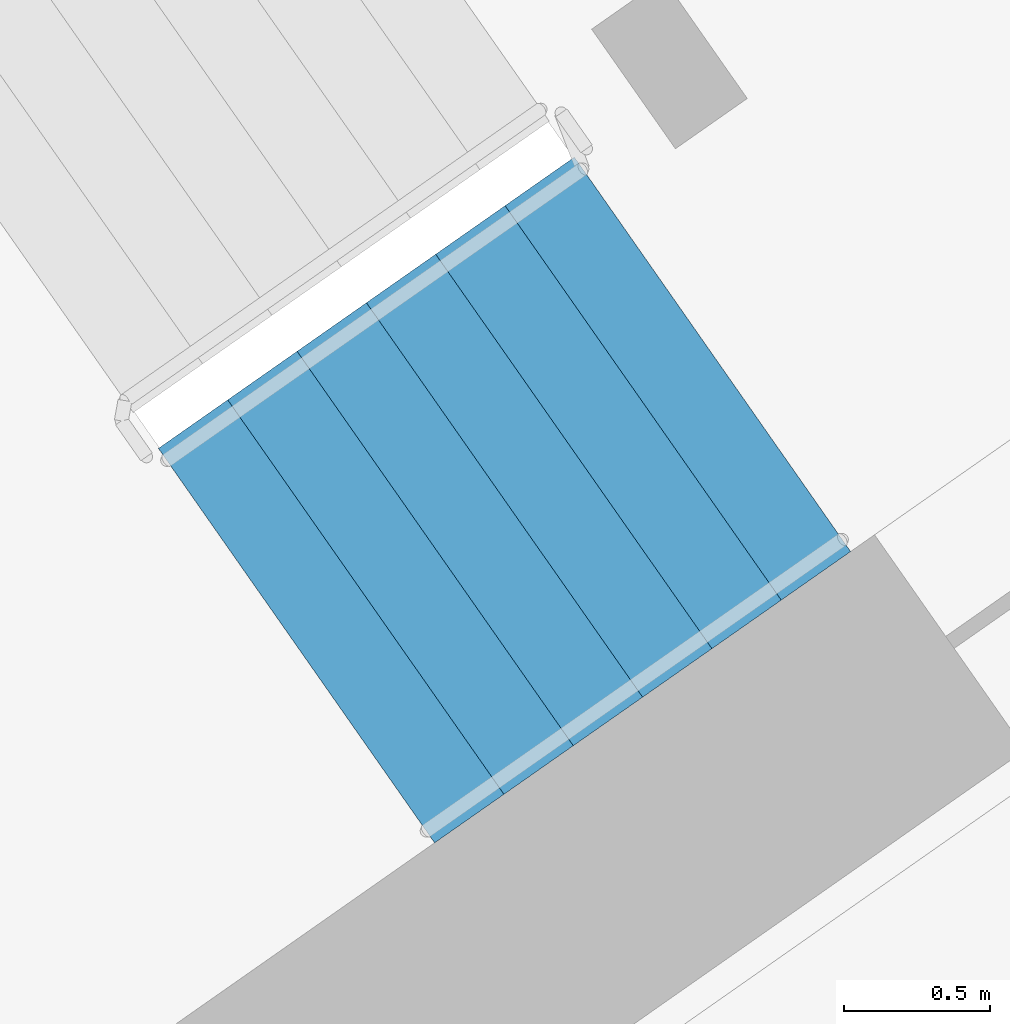
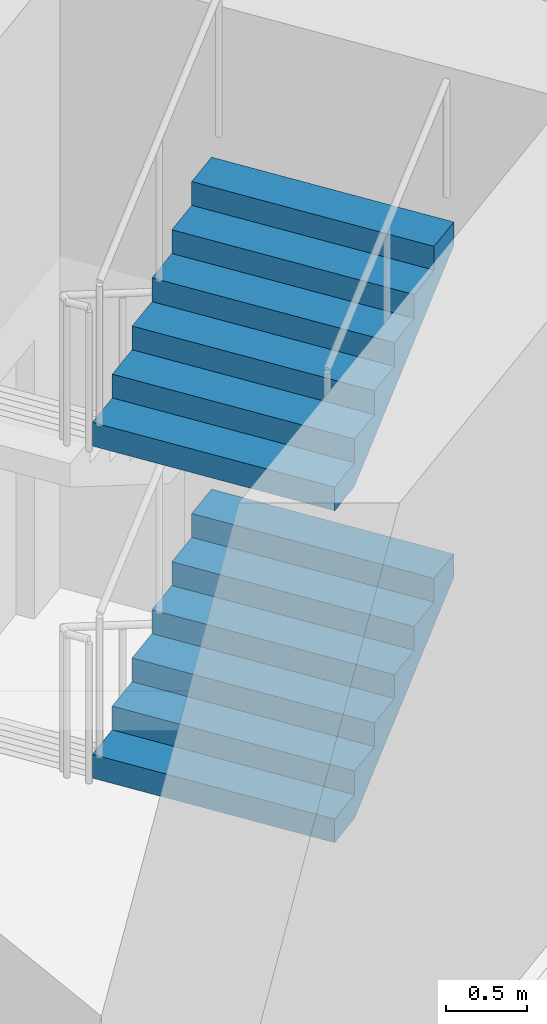
# One storey, part 20 of 25: 2 stair flights, 1 element without a shape of its own.
"""IFC4 building model written with IfcOpenShell, lengths in metres."""

from ifc_helpers import new_model, si_unit, direction, frame, origin, place, context, subcontext, project, spatial, faceted_brep, material, type_object, element, aggregate, save


model = new_model("IFC4")

# Units and contexts
model_context = context("Model", 3, precision=1e-05, world=origin(), true_north=direction((0.0, 1.0)))
body_context = subcontext(model_context, "Body", "Model", "MODEL_VIEW")
ifc_project = project(units=[si_unit("LENGTHUNIT", "METRE"), si_unit("AREAUNIT", "SQUARE_METRE"), si_unit("VOLUMEUNIT", "CUBIC_METRE"), si_unit("PLANEANGLEUNIT", "RADIAN"), si_unit("MASSUNIT", "GRAM", prefix="KILO")], contexts=[model_context])

# Site, building, storey
site_placement = place(None, origin())
site = spatial("IfcSite", under=ifc_project, at=site_placement, CompositionType="ELEMENT")
building_placement = place(site_placement, origin())
building = spatial("IfcBuilding", under=site, at=building_placement, Name="Qamariyya Broadcast Tower", CompositionType="ELEMENT")
storey_placement = place(building_placement, frame((0.0, 0.0, 89.89990234375)))
storey = spatial("IfcBuildingStorey", under=building, at=storey_placement, Name="L19", CompositionType="ELEMENT", Elevation=89.89990234375)

# Stair, stair flights
ifc_material = material(Name="Concrete C50/60", Category="concrete")
stair_type = type_object("IfcStairType", Name="Exit stair 28 risers of 179 mm", PredefinedType="HALF_TURN_STAIR", material=ifc_material)
stair_placement = place(storey_placement, origin())
stair = element("IfcStair", 1, at=stair_placement, inside=storey, type_object=stair_type, Name="L19 Stair E1", PredefinedType="HALF_TURN_STAIR")
stair_flight_type = type_object("IfcStairFlightType", Name="Exit stair flight 7 risers of 179 mm", PredefinedType="STRAIGHT", material=ifc_material)
stair_flight_1_placement = place(storey_placement, frame((45.6435546875, -57.980712890625, 1.25), z_axis=(0.0, 0.0, 1.0), x_axis=(0.819152044289, 0.573576436351, 0.0)))
stair_flight_1 = element("IfcStairFlight", 2, at=stair_flight_1_placement, type_object=stair_flight_type, Name="ST-E1 flight 2", NumberOfRisers=7, NumberOfTreads=6, PredefinedType="STRAIGHT", RiserHeight=0.178571429, TreadLength=0.29, context=body_context, shape_type="Brep", body=[
    faceted_brep([(0.0, 0.824951171875, 0.0), (0.0, 0.824951171875, 0.178466796875), (0.2900390625, 0.824951171875, 0.178466796875), (0.2900390625, 0.824951171875, 0.357177734375), (0.580078125, 0.824951171875, 0.357177734375), (0.580078125, 0.824951171875, 0.53564453125), (0.8701171875, 0.824951171875, 0.53564453125), (0.8701171875, 0.824951171875, 0.71435546875), (1.159912109375, 0.824951171875, 0.71435546875), (1.159912109375, 0.824951171875, 0.892822265625), (1.449951171875, 0.824951171875, 0.892822265625), (1.449951171875, 0.824951171875, 1.071533203125), (1.739990234375, 0.824951171875, 1.071533203125), (1.739990234375, 0.824951171875, 0.8955078125), (0.285888671875, 0.824951171875, 0.0), (0.285888671875, -0.824951171875, 0.0), (1.739990234375, -0.824951171875, 0.8955078125), (1.739990234375, -0.824951171875, 1.071533203125), (1.449951171875, -0.824951171875, 1.071533203125), (1.449951171875, -0.824951171875, 0.892822265625), (1.159912109375, -0.824951171875, 0.892822265625), (1.159912109375, -0.824951171875, 0.71435546875), (0.8701171875, -0.824951171875, 0.71435546875), (0.8701171875, -0.824951171875, 0.53564453125), (0.580078125, -0.824951171875, 0.53564453125), (0.580078125, -0.824951171875, 0.357177734375), (0.2900390625, -0.824951171875, 0.357177734375), (0.2900390625, -0.824951171875, 0.178466796875), (0.0, -0.824951171875, 0.178466796875), (0.0, -0.824951171875, 0.0), (0.0, 0.10009765625, 0.0), (0.0, 0.086669921875, 0.0), (0.0, 0.0732421875, 0.0), (0.0, 0.06005859375, 0.0), (0.0, 0.046630859375, 0.0), (0.0, 0.033447265625, 0.0), (0.0, 0.02001953125, 0.0), (0.0, 0.006591796875, 0.0), (0.0, -0.006591796875, 0.0), (0.0, -0.02001953125, 0.0), (0.0, -0.033447265625, 0.0), (0.0, -0.046630859375, 0.0), (0.0, -0.06005859375, 0.0), (0.0, -0.0732421875, 0.0), (0.0, -0.086669921875, 0.0), (0.0, -0.10009765625, 0.0), (0.0, -0.10009765625, 0.178466796875), (0.0, -0.086669921875, 0.178466796875), (0.0, -0.0732421875, 0.178466796875), (0.0, -0.06005859375, 0.178466796875), (0.0, -0.046630859375, 0.178466796875), (0.0, -0.033447265625, 0.178466796875), (0.0, -0.02001953125, 0.178466796875), (0.0, -0.006591796875, 0.178466796875), (0.0, 0.006591796875, 0.178466796875), (0.0, 0.02001953125, 0.178466796875), (0.0, 0.033447265625, 0.178466796875), (0.0, 0.046630859375, 0.178466796875), (0.0, 0.06005859375, 0.178466796875), (0.0, 0.0732421875, 0.178466796875), (0.0, 0.086669921875, 0.178466796875), (0.0, 0.10009765625, 0.178466796875), (0.2900390625, -0.10009765625, 0.178466796875), (0.2900390625, -0.086669921875, 0.178466796875), (0.2900390625, -0.0732421875, 0.178466796875), (0.2900390625, -0.06005859375, 0.178466796875), (0.2900390625, -0.046630859375, 0.178466796875), (0.2900390625, -0.033447265625, 0.178466796875), (0.2900390625, -0.02001953125, 0.178466796875), (0.2900390625, -0.006591796875, 0.178466796875), (0.2900390625, 0.006591796875, 0.178466796875), (0.2900390625, 0.02001953125, 0.178466796875), (0.2900390625, 0.033447265625, 0.178466796875), (0.2900390625, 0.046630859375, 0.178466796875), (0.2900390625, 0.06005859375, 0.178466796875), (0.2900390625, 0.0732421875, 0.178466796875), (0.2900390625, 0.086669921875, 0.178466796875), (0.2900390625, 0.10009765625, 0.178466796875), (0.2900390625, -0.10009765625, 0.357177734375), (0.2900390625, -0.086669921875, 0.357177734375), (0.2900390625, -0.0732421875, 0.357177734375), (0.2900390625, -0.06005859375, 0.357177734375), (0.2900390625, -0.046630859375, 0.357177734375), (0.2900390625, -0.033447265625, 0.357177734375), (0.2900390625, -0.02001953125, 0.357177734375), (0.2900390625, -0.006591796875, 0.357177734375), (0.2900390625, 0.006591796875, 0.357177734375), (0.2900390625, 0.02001953125, 0.357177734375), (0.2900390625, 0.033447265625, 0.357177734375), (0.2900390625, 0.046630859375, 0.357177734375), (0.2900390625, 0.06005859375, 0.357177734375), (0.2900390625, 0.0732421875, 0.357177734375), (0.2900390625, 0.086669921875, 0.357177734375), (0.2900390625, 0.10009765625, 0.357177734375), (0.580078125, -0.10009765625, 0.357177734375), (0.580078125, -0.086669921875, 0.357177734375), (0.580078125, -0.0732421875, 0.357177734375), (0.580078125, -0.06005859375, 0.357177734375), (0.580078125, -0.046630859375, 0.357177734375), (0.580078125, -0.033447265625, 0.357177734375), (0.580078125, -0.02001953125, 0.357177734375), (0.580078125, -0.006591796875, 0.357177734375), (0.580078125, 0.006591796875, 0.357177734375), (0.580078125, 0.02001953125, 0.357177734375), (0.580078125, 0.033447265625, 0.357177734375), (0.580078125, 0.046630859375, 0.357177734375), (0.580078125, 0.06005859375, 0.357177734375), (0.580078125, 0.0732421875, 0.357177734375), (0.580078125, 0.086669921875, 0.357177734375), (0.580078125, 0.10009765625, 0.357177734375), (0.580078125, -0.10009765625, 0.53564453125), (0.580078125, -0.086669921875, 0.53564453125), (0.580078125, -0.0732421875, 0.53564453125), (0.580078125, -0.06005859375, 0.53564453125), (0.580078125, -0.046630859375, 0.53564453125), (0.580078125, -0.033447265625, 0.53564453125), (0.580078125, -0.02001953125, 0.53564453125), (0.580078125, -0.006591796875, 0.53564453125), (0.580078125, 0.006591796875, 0.53564453125), (0.580078125, 0.02001953125, 0.53564453125), (0.580078125, 0.033447265625, 0.53564453125), (0.580078125, 0.046630859375, 0.53564453125), (0.580078125, 0.06005859375, 0.53564453125), (0.580078125, 0.0732421875, 0.53564453125), (0.580078125, 0.086669921875, 0.53564453125), (0.580078125, 0.10009765625, 0.53564453125), (0.8701171875, -0.10009765625, 0.53564453125), (0.8701171875, -0.086669921875, 0.53564453125), (0.8701171875, -0.0732421875, 0.53564453125), (0.8701171875, -0.06005859375, 0.53564453125), (0.8701171875, -0.046630859375, 0.53564453125), (0.8701171875, -0.033447265625, 0.53564453125), (0.8701171875, -0.02001953125, 0.53564453125), (0.8701171875, -0.006591796875, 0.53564453125), (0.8701171875, 0.006591796875, 0.53564453125), (0.8701171875, 0.02001953125, 0.53564453125), (0.8701171875, 0.033447265625, 0.53564453125), (0.8701171875, 0.046630859375, 0.53564453125), (0.8701171875, 0.06005859375, 0.53564453125), (0.8701171875, 0.0732421875, 0.53564453125), (0.8701171875, 0.086669921875, 0.53564453125), (0.8701171875, 0.10009765625, 0.53564453125), (0.8701171875, -0.10009765625, 0.71435546875), (0.8701171875, -0.086669921875, 0.71435546875), (0.8701171875, -0.0732421875, 0.71435546875), (0.8701171875, -0.06005859375, 0.71435546875), (0.8701171875, -0.046630859375, 0.71435546875), (0.8701171875, -0.033447265625, 0.71435546875), (0.8701171875, -0.02001953125, 0.71435546875), (0.8701171875, -0.006591796875, 0.71435546875), (0.8701171875, 0.006591796875, 0.71435546875), (0.8701171875, 0.02001953125, 0.71435546875), (0.8701171875, 0.033447265625, 0.71435546875), (0.8701171875, 0.046630859375, 0.71435546875), (0.8701171875, 0.06005859375, 0.71435546875), (0.8701171875, 0.0732421875, 0.71435546875), (0.8701171875, 0.086669921875, 0.71435546875), (0.8701171875, 0.10009765625, 0.71435546875), (1.159912109375, -0.10009765625, 0.71435546875), (1.159912109375, -0.086669921875, 0.71435546875), (1.159912109375, -0.0732421875, 0.71435546875), (1.159912109375, -0.06005859375, 0.71435546875), (1.159912109375, -0.046630859375, 0.71435546875), (1.159912109375, -0.033447265625, 0.71435546875), (1.159912109375, -0.02001953125, 0.71435546875), (1.159912109375, -0.006591796875, 0.71435546875), (1.159912109375, 0.006591796875, 0.71435546875), (1.159912109375, 0.02001953125, 0.71435546875), (1.159912109375, 0.033447265625, 0.71435546875), (1.159912109375, 0.046630859375, 0.71435546875), (1.159912109375, 0.06005859375, 0.71435546875), (1.159912109375, 0.0732421875, 0.71435546875), (1.159912109375, 0.086669921875, 0.71435546875), (1.159912109375, 0.10009765625, 0.71435546875), (1.159912109375, -0.10009765625, 0.892822265625), (1.159912109375, -0.086669921875, 0.892822265625), (1.159912109375, -0.0732421875, 0.892822265625), (1.159912109375, -0.06005859375, 0.892822265625), (1.159912109375, -0.046630859375, 0.892822265625), (1.159912109375, -0.033447265625, 0.892822265625), (1.159912109375, -0.02001953125, 0.892822265625), (1.159912109375, -0.006591796875, 0.892822265625), (1.159912109375, 0.006591796875, 0.892822265625), (1.159912109375, 0.02001953125, 0.892822265625), (1.159912109375, 0.033447265625, 0.892822265625), (1.159912109375, 0.046630859375, 0.892822265625), (1.159912109375, 0.06005859375, 0.892822265625), (1.159912109375, 0.0732421875, 0.892822265625), (1.159912109375, 0.086669921875, 0.892822265625), (1.159912109375, 0.10009765625, 0.892822265625), (1.449951171875, -0.10009765625, 0.892822265625), (1.449951171875, -0.086669921875, 0.892822265625), (1.449951171875, -0.0732421875, 0.892822265625), (1.449951171875, -0.06005859375, 0.892822265625), (1.449951171875, -0.046630859375, 0.892822265625), (1.449951171875, -0.033447265625, 0.892822265625), (1.449951171875, -0.02001953125, 0.892822265625), (1.449951171875, -0.006591796875, 0.892822265625), (1.449951171875, 0.006591796875, 0.892822265625), (1.449951171875, 0.02001953125, 0.892822265625), (1.449951171875, 0.033447265625, 0.892822265625), (1.449951171875, 0.046630859375, 0.892822265625), (1.449951171875, 0.06005859375, 0.892822265625), (1.449951171875, 0.0732421875, 0.892822265625), (1.449951171875, 0.086669921875, 0.892822265625), (1.449951171875, 0.10009765625, 0.892822265625), (1.449951171875, -0.10009765625, 1.071533203125), (1.449951171875, -0.086669921875, 1.071533203125), (1.449951171875, -0.0732421875, 1.071533203125), (1.449951171875, -0.06005859375, 1.071533203125), (1.449951171875, -0.046630859375, 1.071533203125), (1.449951171875, -0.033447265625, 1.071533203125), (1.449951171875, -0.02001953125, 1.071533203125), (1.449951171875, -0.006591796875, 1.071533203125), (1.449951171875, 0.006591796875, 1.071533203125), (1.449951171875, 0.02001953125, 1.071533203125), (1.449951171875, 0.033447265625, 1.071533203125), (1.449951171875, 0.046630859375, 1.071533203125), (1.449951171875, 0.06005859375, 1.071533203125), (1.449951171875, 0.0732421875, 1.071533203125), (1.449951171875, 0.086669921875, 1.071533203125), (1.449951171875, 0.10009765625, 1.071533203125), (1.739990234375, -0.10009765625, 1.071533203125), (1.739990234375, -0.086669921875, 1.071533203125), (1.739990234375, -0.0732421875, 1.071533203125), (1.739990234375, -0.06005859375, 1.071533203125), (1.739990234375, -0.046630859375, 1.071533203125), (1.739990234375, -0.033447265625, 1.071533203125), (1.739990234375, -0.02001953125, 1.071533203125), (1.739990234375, -0.006591796875, 1.071533203125), (1.739990234375, 0.006591796875, 1.071533203125), (1.739990234375, 0.02001953125, 1.071533203125), (1.739990234375, 0.033447265625, 1.071533203125), (1.739990234375, 0.046630859375, 1.071533203125), (1.739990234375, 0.06005859375, 1.071533203125), (1.739990234375, 0.0732421875, 1.071533203125), (1.739990234375, 0.086669921875, 1.071533203125), (1.739990234375, 0.10009765625, 1.071533203125), (1.739990234375, -0.10009765625, 0.8955078125), (1.739990234375, -0.086669921875, 0.8955078125), (1.739990234375, -0.0732421875, 0.8955078125), (1.739990234375, -0.06005859375, 0.8955078125), (1.739990234375, -0.046630859375, 0.8955078125), (1.739990234375, -0.033447265625, 0.8955078125), (1.739990234375, -0.02001953125, 0.8955078125), (1.739990234375, -0.006591796875, 0.8955078125), (1.739990234375, 0.006591796875, 0.8955078125), (1.739990234375, 0.02001953125, 0.8955078125), (1.739990234375, 0.033447265625, 0.8955078125), (1.739990234375, 0.046630859375, 0.8955078125), (1.739990234375, 0.06005859375, 0.8955078125), (1.739990234375, 0.0732421875, 0.8955078125), (1.739990234375, 0.086669921875, 0.8955078125), (1.739990234375, 0.10009765625, 0.8955078125), (0.285888671875, -0.10009765625, 0.0), (0.285888671875, -0.086669921875, 0.0), (0.285888671875, -0.0732421875, 0.0), (0.285888671875, -0.06005859375, 0.0), (0.285888671875, -0.046630859375, 0.0), (0.285888671875, -0.033447265625, 0.0), (0.285888671875, -0.02001953125, 0.0), (0.285888671875, -0.006591796875, 0.0), (0.285888671875, 0.006591796875, 0.0), (0.285888671875, 0.02001953125, 0.0), (0.285888671875, 0.033447265625, 0.0), (0.285888671875, 0.046630859375, 0.0), (0.285888671875, 0.06005859375, 0.0), (0.285888671875, 0.0732421875, 0.0), (0.285888671875, 0.086669921875, 0.0), (0.285888671875, 0.10009765625, 0.0)], [[[0, 1, 2, 3, 4, 5, 6, 7, 8, 9, 10, 11, 12, 13, 14]], [[15, 16, 17, 18, 19, 20, 21, 22, 23, 24, 25, 26, 27, 28, 29]], [[0, 30, 31, 32, 33, 34, 35, 36, 37, 38, 39, 40, 41, 42, 43, 44, 45, 29, 28, 46, 47, 48, 49, 50, 51, 52, 53, 54, 55, 56, 57, 58, 59, 60, 61, 1]], [[1, 61, 60, 59, 58, 57, 56, 55, 54, 53, 52, 51, 50, 49, 48, 47, 46, 28, 27, 62, 63, 64, 65, 66, 67, 68, 69, 70, 71, 72, 73, 74, 75, 76, 77, 2]], [[2, 77, 76, 75, 74, 73, 72, 71, 70, 69, 68, 67, 66, 65, 64, 63, 62, 27, 26, 78, 79, 80, 81, 82, 83, 84, 85, 86, 87, 88, 89, 90, 91, 92, 93, 3]], [[3, 93, 92, 91, 90, 89, 88, 87, 86, 85, 84, 83, 82, 81, 80, 79, 78, 26, 25, 94, 95, 96, 97, 98, 99, 100, 101, 102, 103, 104, 105, 106, 107, 108, 109, 4]], [[4, 109, 108, 107, 106, 105, 104, 103, 102, 101, 100, 99, 98, 97, 96, 95, 94, 25, 24, 110, 111, 112, 113, 114, 115, 116, 117, 118, 119, 120, 121, 122, 123, 124, 125, 5]], [[5, 125, 124, 123, 122, 121, 120, 119, 118, 117, 116, 115, 114, 113, 112, 111, 110, 24, 23, 126, 127, 128, 129, 130, 131, 132, 133, 134, 135, 136, 137, 138, 139, 140, 141, 6]], [[6, 141, 140, 139, 138, 137, 136, 135, 134, 133, 132, 131, 130, 129, 128, 127, 126, 23, 22, 142, 143, 144, 145, 146, 147, 148, 149, 150, 151, 152, 153, 154, 155, 156, 157, 7]], [[7, 157, 156, 155, 154, 153, 152, 151, 150, 149, 148, 147, 146, 145, 144, 143, 142, 22, 21, 158, 159, 160, 161, 162, 163, 164, 165, 166, 167, 168, 169, 170, 171, 172, 173, 8]], [[8, 173, 172, 171, 170, 169, 168, 167, 166, 165, 164, 163, 162, 161, 160, 159, 158, 21, 20, 174, 175, 176, 177, 178, 179, 180, 181, 182, 183, 184, 185, 186, 187, 188, 189, 9]], [[9, 189, 188, 187, 186, 185, 184, 183, 182, 181, 180, 179, 178, 177, 176, 175, 174, 20, 19, 190, 191, 192, 193, 194, 195, 196, 197, 198, 199, 200, 201, 202, 203, 204, 205, 10]], [[10, 205, 204, 203, 202, 201, 200, 199, 198, 197, 196, 195, 194, 193, 192, 191, 190, 19, 18, 206, 207, 208, 209, 210, 211, 212, 213, 214, 215, 216, 217, 218, 219, 220, 221, 11]], [[11, 221, 220, 219, 218, 217, 216, 215, 214, 213, 212, 211, 210, 209, 208, 207, 206, 18, 17, 222, 223, 224, 225, 226, 227, 228, 229, 230, 231, 232, 233, 234, 235, 236, 237, 12]], [[12, 237, 236, 235, 234, 233, 232, 231, 230, 229, 228, 227, 226, 225, 224, 223, 222, 17, 16, 238, 239, 240, 241, 242, 243, 244, 245, 246, 247, 248, 249, 250, 251, 252, 253, 13]], [[13, 253, 252, 251, 250, 249, 248, 247, 246, 245, 244, 243, 242, 241, 240, 239, 238, 16, 15, 254, 255, 256, 257, 258, 259, 260, 261, 262, 263, 264, 265, 266, 267, 268, 269, 14]], [[14, 269, 268, 267, 266, 265, 264, 263, 262, 261, 260, 259, 258, 257, 256, 255, 254, 15, 29, 45, 44, 43, 42, 41, 40, 39, 38, 37, 36, 35, 34, 33, 32, 31, 30, 0]]]),
])
stair_flight_2_placement = place(storey_placement, frame((45.6435546875, -57.980712890625, 3.75), z_axis=(0.0, 0.0, 1.0), x_axis=(0.819152044289, 0.573576436351, 0.0)))
stair_flight_2 = element("IfcStairFlight", 3, at=stair_flight_2_placement, type_object=stair_flight_type, Name="ST-E1 flight 4", NumberOfRisers=7, NumberOfTreads=6, PredefinedType="STRAIGHT", RiserHeight=0.178571429, TreadLength=0.29, context=body_context, shape_type="Brep", body=[
    faceted_brep([(0.0, 0.824951171875, 0.0), (0.0, 0.824951171875, 0.178466796875), (0.2900390625, 0.824951171875, 0.178466796875), (0.2900390625, 0.824951171875, 0.357177734375), (0.580078125, 0.824951171875, 0.357177734375), (0.580078125, 0.824951171875, 0.53564453125), (0.8701171875, 0.824951171875, 0.53564453125), (0.8701171875, 0.824951171875, 0.71435546875), (1.159912109375, 0.824951171875, 0.71435546875), (1.159912109375, 0.824951171875, 0.892822265625), (1.449951171875, 0.824951171875, 0.892822265625), (1.449951171875, 0.824951171875, 1.071533203125), (1.739990234375, 0.824951171875, 1.071533203125), (1.739990234375, 0.824951171875, 0.8955078125), (0.285888671875, 0.824951171875, 0.0), (0.285888671875, -0.824951171875, 0.0), (1.739990234375, -0.824951171875, 0.8955078125), (1.739990234375, -0.824951171875, 1.071533203125), (1.449951171875, -0.824951171875, 1.071533203125), (1.449951171875, -0.824951171875, 0.892822265625), (1.159912109375, -0.824951171875, 0.892822265625), (1.159912109375, -0.824951171875, 0.71435546875), (0.8701171875, -0.824951171875, 0.71435546875), (0.8701171875, -0.824951171875, 0.53564453125), (0.580078125, -0.824951171875, 0.53564453125), (0.580078125, -0.824951171875, 0.357177734375), (0.2900390625, -0.824951171875, 0.357177734375), (0.2900390625, -0.824951171875, 0.178466796875), (0.0, -0.824951171875, 0.178466796875), (0.0, -0.824951171875, 0.0), (0.0, 0.10009765625, 0.0), (0.0, 0.086669921875, 0.0), (0.0, 0.0732421875, 0.0), (0.0, 0.06005859375, 0.0), (0.0, 0.046630859375, 0.0), (0.0, 0.033447265625, 0.0), (0.0, 0.02001953125, 0.0), (0.0, 0.006591796875, 0.0), (0.0, -0.006591796875, 0.0), (0.0, -0.02001953125, 0.0), (0.0, -0.033447265625, 0.0), (0.0, -0.046630859375, 0.0), (0.0, -0.06005859375, 0.0), (0.0, -0.0732421875, 0.0), (0.0, -0.086669921875, 0.0), (0.0, -0.10009765625, 0.0), (0.0, -0.10009765625, 0.178466796875), (0.0, -0.086669921875, 0.178466796875), (0.0, -0.0732421875, 0.178466796875), (0.0, -0.06005859375, 0.178466796875), (0.0, -0.046630859375, 0.178466796875), (0.0, -0.033447265625, 0.178466796875), (0.0, -0.02001953125, 0.178466796875), (0.0, -0.006591796875, 0.178466796875), (0.0, 0.006591796875, 0.178466796875), (0.0, 0.02001953125, 0.178466796875), (0.0, 0.033447265625, 0.178466796875), (0.0, 0.046630859375, 0.178466796875), (0.0, 0.06005859375, 0.178466796875), (0.0, 0.0732421875, 0.178466796875), (0.0, 0.086669921875, 0.178466796875), (0.0, 0.10009765625, 0.178466796875), (0.2900390625, -0.10009765625, 0.178466796875), (0.2900390625, -0.086669921875, 0.178466796875), (0.2900390625, -0.0732421875, 0.178466796875), (0.2900390625, -0.06005859375, 0.178466796875), (0.2900390625, -0.046630859375, 0.178466796875), (0.2900390625, -0.033447265625, 0.178466796875), (0.2900390625, -0.02001953125, 0.178466796875), (0.2900390625, -0.006591796875, 0.178466796875), (0.2900390625, 0.006591796875, 0.178466796875), (0.2900390625, 0.02001953125, 0.178466796875), (0.2900390625, 0.033447265625, 0.178466796875), (0.2900390625, 0.046630859375, 0.178466796875), (0.2900390625, 0.06005859375, 0.178466796875), (0.2900390625, 0.0732421875, 0.178466796875), (0.2900390625, 0.086669921875, 0.178466796875), (0.2900390625, 0.10009765625, 0.178466796875), (0.2900390625, -0.10009765625, 0.357177734375), (0.2900390625, -0.086669921875, 0.357177734375), (0.2900390625, -0.0732421875, 0.357177734375), (0.2900390625, -0.06005859375, 0.357177734375), (0.2900390625, -0.046630859375, 0.357177734375), (0.2900390625, -0.033447265625, 0.357177734375), (0.2900390625, -0.02001953125, 0.357177734375), (0.2900390625, -0.006591796875, 0.357177734375), (0.2900390625, 0.006591796875, 0.357177734375), (0.2900390625, 0.02001953125, 0.357177734375), (0.2900390625, 0.033447265625, 0.357177734375), (0.2900390625, 0.046630859375, 0.357177734375), (0.2900390625, 0.06005859375, 0.357177734375), (0.2900390625, 0.0732421875, 0.357177734375), (0.2900390625, 0.086669921875, 0.357177734375), (0.2900390625, 0.10009765625, 0.357177734375), (0.580078125, -0.10009765625, 0.357177734375), (0.580078125, -0.086669921875, 0.357177734375), (0.580078125, -0.0732421875, 0.357177734375), (0.580078125, -0.06005859375, 0.357177734375), (0.580078125, -0.046630859375, 0.357177734375), (0.580078125, -0.033447265625, 0.357177734375), (0.580078125, -0.02001953125, 0.357177734375), (0.580078125, -0.006591796875, 0.357177734375), (0.580078125, 0.006591796875, 0.357177734375), (0.580078125, 0.02001953125, 0.357177734375), (0.580078125, 0.033447265625, 0.357177734375), (0.580078125, 0.046630859375, 0.357177734375), (0.580078125, 0.06005859375, 0.357177734375), (0.580078125, 0.0732421875, 0.357177734375), (0.580078125, 0.086669921875, 0.357177734375), (0.580078125, 0.10009765625, 0.357177734375), (0.580078125, -0.10009765625, 0.53564453125), (0.580078125, -0.086669921875, 0.53564453125), (0.580078125, -0.0732421875, 0.53564453125), (0.580078125, -0.06005859375, 0.53564453125), (0.580078125, -0.046630859375, 0.53564453125), (0.580078125, -0.033447265625, 0.53564453125), (0.580078125, -0.02001953125, 0.53564453125), (0.580078125, -0.006591796875, 0.53564453125), (0.580078125, 0.006591796875, 0.53564453125), (0.580078125, 0.02001953125, 0.53564453125), (0.580078125, 0.033447265625, 0.53564453125), (0.580078125, 0.046630859375, 0.53564453125), (0.580078125, 0.06005859375, 0.53564453125), (0.580078125, 0.0732421875, 0.53564453125), (0.580078125, 0.086669921875, 0.53564453125), (0.580078125, 0.10009765625, 0.53564453125), (0.8701171875, -0.10009765625, 0.53564453125), (0.8701171875, -0.086669921875, 0.53564453125), (0.8701171875, -0.0732421875, 0.53564453125), (0.8701171875, -0.06005859375, 0.53564453125), (0.8701171875, -0.046630859375, 0.53564453125), (0.8701171875, -0.033447265625, 0.53564453125), (0.8701171875, -0.02001953125, 0.53564453125), (0.8701171875, -0.006591796875, 0.53564453125), (0.8701171875, 0.006591796875, 0.53564453125), (0.8701171875, 0.02001953125, 0.53564453125), (0.8701171875, 0.033447265625, 0.53564453125), (0.8701171875, 0.046630859375, 0.53564453125), (0.8701171875, 0.06005859375, 0.53564453125), (0.8701171875, 0.0732421875, 0.53564453125), (0.8701171875, 0.086669921875, 0.53564453125), (0.8701171875, 0.10009765625, 0.53564453125), (0.8701171875, -0.10009765625, 0.71435546875), (0.8701171875, -0.086669921875, 0.71435546875), (0.8701171875, -0.0732421875, 0.71435546875), (0.8701171875, -0.06005859375, 0.71435546875), (0.8701171875, -0.046630859375, 0.71435546875), (0.8701171875, -0.033447265625, 0.71435546875), (0.8701171875, -0.02001953125, 0.71435546875), (0.8701171875, -0.006591796875, 0.71435546875), (0.8701171875, 0.006591796875, 0.71435546875), (0.8701171875, 0.02001953125, 0.71435546875), (0.8701171875, 0.033447265625, 0.71435546875), (0.8701171875, 0.046630859375, 0.71435546875), (0.8701171875, 0.06005859375, 0.71435546875), (0.8701171875, 0.0732421875, 0.71435546875), (0.8701171875, 0.086669921875, 0.71435546875), (0.8701171875, 0.10009765625, 0.71435546875), (1.159912109375, -0.10009765625, 0.71435546875), (1.159912109375, -0.086669921875, 0.71435546875), (1.159912109375, -0.0732421875, 0.71435546875), (1.159912109375, -0.06005859375, 0.71435546875), (1.159912109375, -0.046630859375, 0.71435546875), (1.159912109375, -0.033447265625, 0.71435546875), (1.159912109375, -0.02001953125, 0.71435546875), (1.159912109375, -0.006591796875, 0.71435546875), (1.159912109375, 0.006591796875, 0.71435546875), (1.159912109375, 0.02001953125, 0.71435546875), (1.159912109375, 0.033447265625, 0.71435546875), (1.159912109375, 0.046630859375, 0.71435546875), (1.159912109375, 0.06005859375, 0.71435546875), (1.159912109375, 0.0732421875, 0.71435546875), (1.159912109375, 0.086669921875, 0.71435546875), (1.159912109375, 0.10009765625, 0.71435546875), (1.159912109375, -0.10009765625, 0.892822265625), (1.159912109375, -0.086669921875, 0.892822265625), (1.159912109375, -0.0732421875, 0.892822265625), (1.159912109375, -0.06005859375, 0.892822265625), (1.159912109375, -0.046630859375, 0.892822265625), (1.159912109375, -0.033447265625, 0.892822265625), (1.159912109375, -0.02001953125, 0.892822265625), (1.159912109375, -0.006591796875, 0.892822265625), (1.159912109375, 0.006591796875, 0.892822265625), (1.159912109375, 0.02001953125, 0.892822265625), (1.159912109375, 0.033447265625, 0.892822265625), (1.159912109375, 0.046630859375, 0.892822265625), (1.159912109375, 0.06005859375, 0.892822265625), (1.159912109375, 0.0732421875, 0.892822265625), (1.159912109375, 0.086669921875, 0.892822265625), (1.159912109375, 0.10009765625, 0.892822265625), (1.449951171875, -0.10009765625, 0.892822265625), (1.449951171875, -0.086669921875, 0.892822265625), (1.449951171875, -0.0732421875, 0.892822265625), (1.449951171875, -0.06005859375, 0.892822265625), (1.449951171875, -0.046630859375, 0.892822265625), (1.449951171875, -0.033447265625, 0.892822265625), (1.449951171875, -0.02001953125, 0.892822265625), (1.449951171875, -0.006591796875, 0.892822265625), (1.449951171875, 0.006591796875, 0.892822265625), (1.449951171875, 0.02001953125, 0.892822265625), (1.449951171875, 0.033447265625, 0.892822265625), (1.449951171875, 0.046630859375, 0.892822265625), (1.449951171875, 0.06005859375, 0.892822265625), (1.449951171875, 0.0732421875, 0.892822265625), (1.449951171875, 0.086669921875, 0.892822265625), (1.449951171875, 0.10009765625, 0.892822265625), (1.449951171875, -0.10009765625, 1.071533203125), (1.449951171875, -0.086669921875, 1.071533203125), (1.449951171875, -0.0732421875, 1.071533203125), (1.449951171875, -0.06005859375, 1.071533203125), (1.449951171875, -0.046630859375, 1.071533203125), (1.449951171875, -0.033447265625, 1.071533203125), (1.449951171875, -0.02001953125, 1.071533203125), (1.449951171875, -0.006591796875, 1.071533203125), (1.449951171875, 0.006591796875, 1.071533203125), (1.449951171875, 0.02001953125, 1.071533203125), (1.449951171875, 0.033447265625, 1.071533203125), (1.449951171875, 0.046630859375, 1.071533203125), (1.449951171875, 0.06005859375, 1.071533203125), (1.449951171875, 0.0732421875, 1.071533203125), (1.449951171875, 0.086669921875, 1.071533203125), (1.449951171875, 0.10009765625, 1.071533203125), (1.739990234375, -0.10009765625, 1.071533203125), (1.739990234375, -0.086669921875, 1.071533203125), (1.739990234375, -0.0732421875, 1.071533203125), (1.739990234375, -0.06005859375, 1.071533203125), (1.739990234375, -0.046630859375, 1.071533203125), (1.739990234375, -0.033447265625, 1.071533203125), (1.739990234375, -0.02001953125, 1.071533203125), (1.739990234375, -0.006591796875, 1.071533203125), (1.739990234375, 0.006591796875, 1.071533203125), (1.739990234375, 0.02001953125, 1.071533203125), (1.739990234375, 0.033447265625, 1.071533203125), (1.739990234375, 0.046630859375, 1.071533203125), (1.739990234375, 0.06005859375, 1.071533203125), (1.739990234375, 0.0732421875, 1.071533203125), (1.739990234375, 0.086669921875, 1.071533203125), (1.739990234375, 0.10009765625, 1.071533203125), (1.739990234375, -0.10009765625, 0.8955078125), (1.739990234375, -0.086669921875, 0.8955078125), (1.739990234375, -0.0732421875, 0.8955078125), (1.739990234375, -0.06005859375, 0.8955078125), (1.739990234375, -0.046630859375, 0.8955078125), (1.739990234375, -0.033447265625, 0.8955078125), (1.739990234375, -0.02001953125, 0.8955078125), (1.739990234375, -0.006591796875, 0.8955078125), (1.739990234375, 0.006591796875, 0.8955078125), (1.739990234375, 0.02001953125, 0.8955078125), (1.739990234375, 0.033447265625, 0.8955078125), (1.739990234375, 0.046630859375, 0.8955078125), (1.739990234375, 0.06005859375, 0.8955078125), (1.739990234375, 0.0732421875, 0.8955078125), (1.739990234375, 0.086669921875, 0.8955078125), (1.739990234375, 0.10009765625, 0.8955078125), (0.285888671875, -0.10009765625, 0.0), (0.285888671875, -0.086669921875, 0.0), (0.285888671875, -0.0732421875, 0.0), (0.285888671875, -0.06005859375, 0.0), (0.285888671875, -0.046630859375, 0.0), (0.285888671875, -0.033447265625, 0.0), (0.285888671875, -0.02001953125, 0.0), (0.285888671875, -0.006591796875, 0.0), (0.285888671875, 0.006591796875, 0.0), (0.285888671875, 0.02001953125, 0.0), (0.285888671875, 0.033447265625, 0.0), (0.285888671875, 0.046630859375, 0.0), (0.285888671875, 0.06005859375, 0.0), (0.285888671875, 0.0732421875, 0.0), (0.285888671875, 0.086669921875, 0.0), (0.285888671875, 0.10009765625, 0.0)], [[[0, 1, 2, 3, 4, 5, 6, 7, 8, 9, 10, 11, 12, 13, 14]], [[15, 16, 17, 18, 19, 20, 21, 22, 23, 24, 25, 26, 27, 28, 29]], [[0, 30, 31, 32, 33, 34, 35, 36, 37, 38, 39, 40, 41, 42, 43, 44, 45, 29, 28, 46, 47, 48, 49, 50, 51, 52, 53, 54, 55, 56, 57, 58, 59, 60, 61, 1]], [[1, 61, 60, 59, 58, 57, 56, 55, 54, 53, 52, 51, 50, 49, 48, 47, 46, 28, 27, 62, 63, 64, 65, 66, 67, 68, 69, 70, 71, 72, 73, 74, 75, 76, 77, 2]], [[2, 77, 76, 75, 74, 73, 72, 71, 70, 69, 68, 67, 66, 65, 64, 63, 62, 27, 26, 78, 79, 80, 81, 82, 83, 84, 85, 86, 87, 88, 89, 90, 91, 92, 93, 3]], [[3, 93, 92, 91, 90, 89, 88, 87, 86, 85, 84, 83, 82, 81, 80, 79, 78, 26, 25, 94, 95, 96, 97, 98, 99, 100, 101, 102, 103, 104, 105, 106, 107, 108, 109, 4]], [[4, 109, 108, 107, 106, 105, 104, 103, 102, 101, 100, 99, 98, 97, 96, 95, 94, 25, 24, 110, 111, 112, 113, 114, 115, 116, 117, 118, 119, 120, 121, 122, 123, 124, 125, 5]], [[5, 125, 124, 123, 122, 121, 120, 119, 118, 117, 116, 115, 114, 113, 112, 111, 110, 24, 23, 126, 127, 128, 129, 130, 131, 132, 133, 134, 135, 136, 137, 138, 139, 140, 141, 6]], [[6, 141, 140, 139, 138, 137, 136, 135, 134, 133, 132, 131, 130, 129, 128, 127, 126, 23, 22, 142, 143, 144, 145, 146, 147, 148, 149, 150, 151, 152, 153, 154, 155, 156, 157, 7]], [[7, 157, 156, 155, 154, 153, 152, 151, 150, 149, 148, 147, 146, 145, 144, 143, 142, 22, 21, 158, 159, 160, 161, 162, 163, 164, 165, 166, 167, 168, 169, 170, 171, 172, 173, 8]], [[8, 173, 172, 171, 170, 169, 168, 167, 166, 165, 164, 163, 162, 161, 160, 159, 158, 21, 20, 174, 175, 176, 177, 178, 179, 180, 181, 182, 183, 184, 185, 186, 187, 188, 189, 9]], [[9, 189, 188, 187, 186, 185, 184, 183, 182, 181, 180, 179, 178, 177, 176, 175, 174, 20, 19, 190, 191, 192, 193, 194, 195, 196, 197, 198, 199, 200, 201, 202, 203, 204, 205, 10]], [[10, 205, 204, 203, 202, 201, 200, 199, 198, 197, 196, 195, 194, 193, 192, 191, 190, 19, 18, 206, 207, 208, 209, 210, 211, 212, 213, 214, 215, 216, 217, 218, 219, 220, 221, 11]], [[11, 221, 220, 219, 218, 217, 216, 215, 214, 213, 212, 211, 210, 209, 208, 207, 206, 18, 17, 222, 223, 224, 225, 226, 227, 228, 229, 230, 231, 232, 233, 234, 235, 236, 237, 12]], [[12, 237, 236, 235, 234, 233, 232, 231, 230, 229, 228, 227, 226, 225, 224, 223, 222, 17, 16, 238, 239, 240, 241, 242, 243, 244, 245, 246, 247, 248, 249, 250, 251, 252, 253, 13]], [[13, 253, 252, 251, 250, 249, 248, 247, 246, 245, 244, 243, 242, 241, 240, 239, 238, 16, 15, 254, 255, 256, 257, 258, 259, 260, 261, 262, 263, 264, 265, 266, 267, 268, 269, 14]], [[14, 269, 268, 267, 266, 265, 264, 263, 262, 261, 260, 259, 258, 257, 256, 255, 254, 15, 29, 45, 44, 43, 42, 41, 40, 39, 38, 37, 36, 35, 34, 33, 32, 31, 30, 0]]]),
])
aggregate(stair, [stair_flight_1, stair_flight_2])

save(model, "model.ifc")
